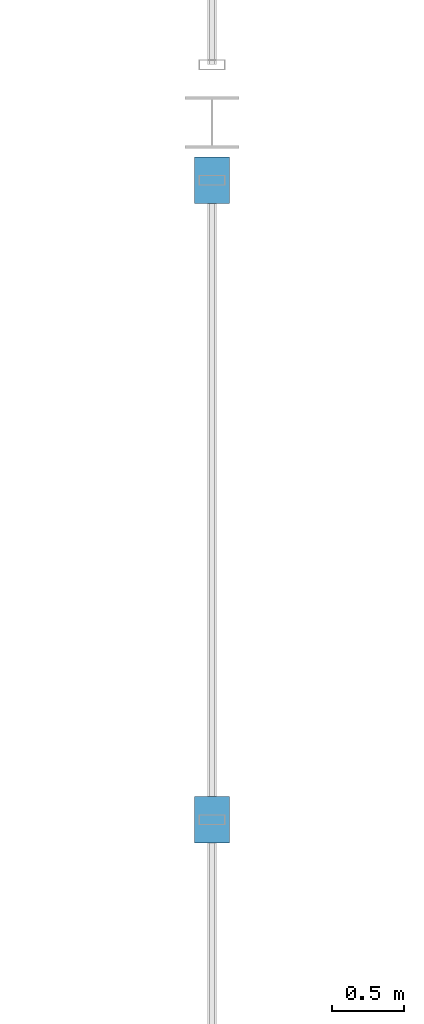
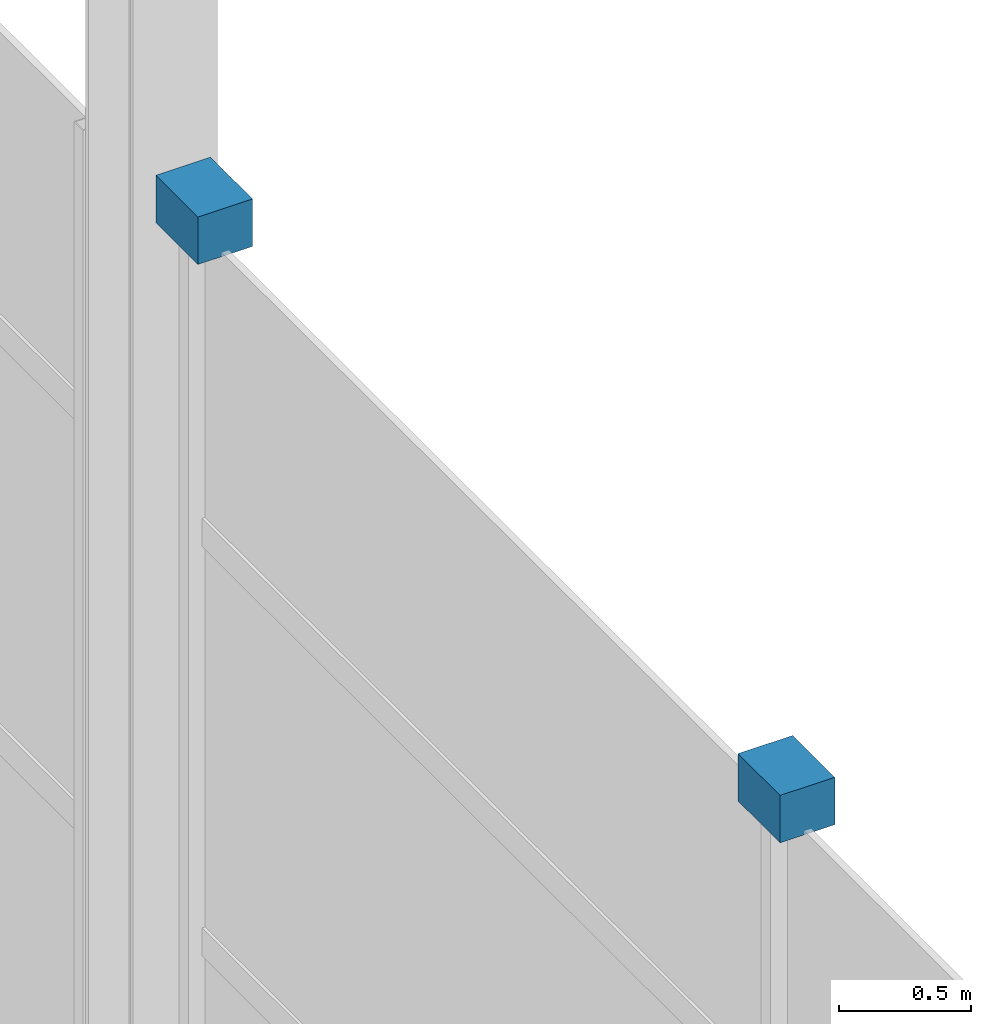
# One storey, part 137 of 148: 2 discrete accessories.
"""IFC4 building model written with IfcOpenShell, lengths in metres."""

from ifc_helpers import new_model, si_unit, direction, frame, origin, origin_2d, place, context, subcontext, project, spatial, rectangle, extrude, material, type_object, element, save


model = new_model("IFC4")

# Units and contexts
model_context = context("Model", 3, precision=1e-05, world=origin(), true_north=direction((0.0, 1.0)))
body_context = subcontext(model_context, "Body", "Model", "MODEL_VIEW")
ifc_project = project(units=[si_unit("LENGTHUNIT", "METRE"), si_unit("AREAUNIT", "SQUARE_METRE"), si_unit("VOLUMEUNIT", "CUBIC_METRE"), si_unit("PLANEANGLEUNIT", "RADIAN"), si_unit("MASSUNIT", "GRAM", prefix="KILO")], contexts=[model_context])

# Site, building, storey
site_placement = place(None, origin())
site = spatial("IfcSite", under=ifc_project, at=site_placement, CompositionType="ELEMENT")
building_placement = place(site_placement, origin())
building = spatial("IfcBuilding", under=site, at=building_placement, Name="Ologun Quay Terminus", CompositionType="ELEMENT")
storey_placement = place(building_placement, frame((0.0, 0.0, 8.39990234375)))
storey = spatial("IfcBuildingStorey", under=building, at=storey_placement, Name="L02", CompositionType="ELEMENT", Elevation=8.39990234375)

# Discrete accessories
ifc_material = material(Name="Steel S355", Category="steel")
discrete_accessory_type = type_object("IfcDiscreteAccessoryType", Name="Brace & Strut End Gusset Connection Plate 360x360x20", PredefinedType="BRACKET", material=ifc_material)
for number, where, z_axis, x_axis, name in (
    (1, (0.0, 64.175048828125, 5.05029296875), (0.0, 0.0, 1.0), (1.0, 0.0, 0.0), "GUS-END Gable Screen Head Cleat W2-4"),
    (2, (0.0, 68.60009765625, 5.05029296875), (0.0, 0.0, 1.0), (1.0, 0.0, 0.0), "GUS-END Gable Screen Head Cleat W2-5"),
):
    element("IfcDiscreteAccessory", number, at=place(storey_placement, frame(where, z_axis=z_axis, x_axis=x_axis)), inside=storey, type_object=discrete_accessory_type, Name=name, PredefinedType="BRACKET", context=body_context, shape_type="SweptSolid", body=[
        extrude(rectangle(XDim=0.239990234375, YDim=0.320068359375, at=origin_2d()), origin(), (0.0, 0.0, 1.0), 0.219970703125),
    ])

save(model, "model.ifc")
